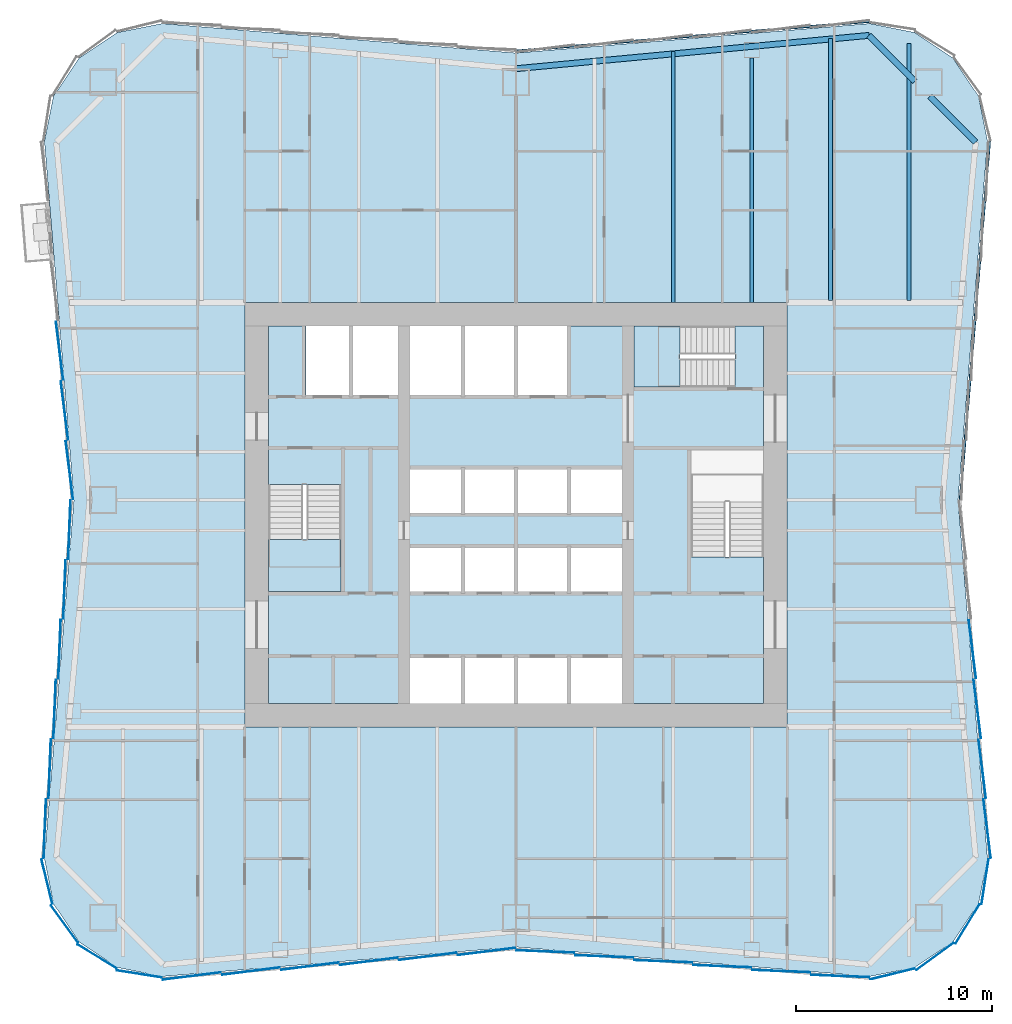
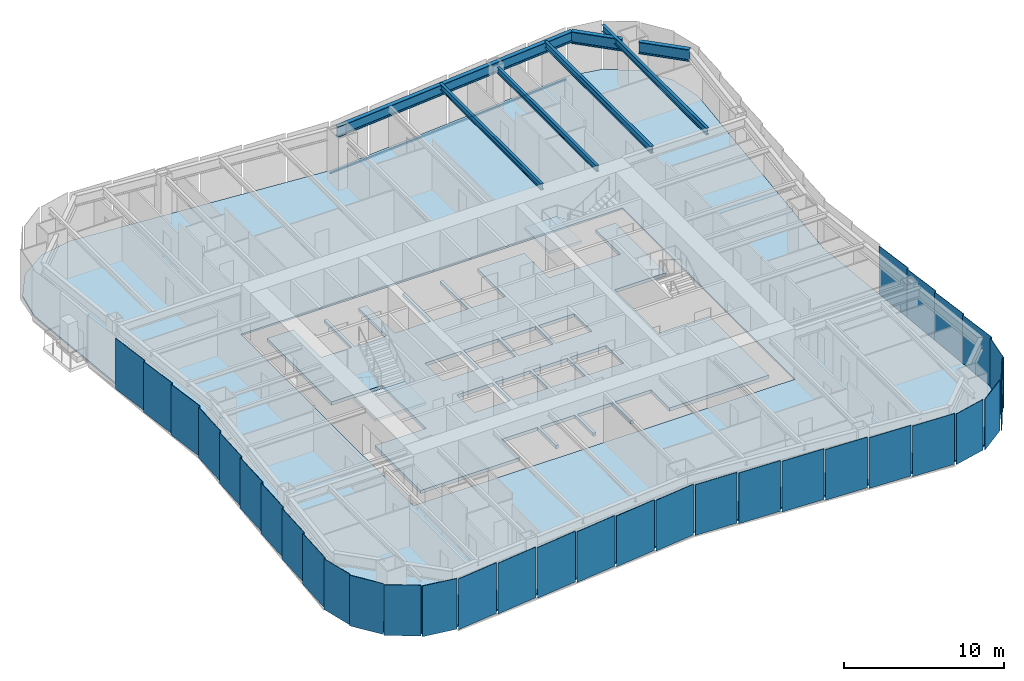
# One storey, part 2 of 9: 33 plates, 7 beams, 4 slabs, 2 members, 8 elements without a shape of their own.
"""IFC4 building model written with IfcOpenShell, lengths in metres."""

from ifc_helpers import new_model, si_unit, direction, frame, origin, origin_2d, place, context, subcontext, project, spatial, polyline, rectangle, i_section, outline, extrude, material, layer, layer_set, material_profile, profile_set, type_object, element, aggregate, save


model = new_model("IFC4")

# Units and contexts
model_context = context("Model", 3, precision=1e-05, world=origin(), true_north=direction((0.0, 1.0)))
body_context = subcontext(model_context, "Body", "Model", "MODEL_VIEW")
ifc_project = project(units=[si_unit("LENGTHUNIT", "METRE"), si_unit("AREAUNIT", "SQUARE_METRE"), si_unit("VOLUMEUNIT", "CUBIC_METRE"), si_unit("PLANEANGLEUNIT", "RADIAN"), si_unit("MASSUNIT", "GRAM", prefix="KILO")], contexts=[model_context])

# Site, building, storey
site_placement = place(None, origin())
site = spatial("IfcSite", under=ifc_project, at=site_placement, CompositionType="ELEMENT")
building_placement = place(site_placement, origin())
building = spatial("IfcBuilding", under=site, at=building_placement, Name="Verdant Reach Tower", CompositionType="ELEMENT")
storey_placement = place(building_placement, frame((0.0, 0.0, 90.0)))
storey = spatial("IfcBuildingStorey", under=building, at=storey_placement, Name="L20", CompositionType="ELEMENT", Elevation=90.0)

# Curtain wall, member
ifc_material_1 = material(Name="Anodised aluminium", Category="aluminium")
curtain_wall_type = type_object("IfcCurtainWallType", Name="EN-CW SYSTEM Z1", PredefinedType="NOTDEFINED", material=ifc_material_1)
curtain_wall_1_placement = place(storey_placement, origin())
curtain_wall_1 = element("IfcCurtainWall", 1, at=curtain_wall_1_placement, inside=storey, type_object=curtain_wall_type, Name="Curtain wall east, L20", PredefinedType="NOTDEFINED")
ifc_material_profile_1 = material_profile(ifc_material_1, rectangle(XDim=0.10009765625, YDim=0.1220703125, at=origin_2d()), Name="Transom 122x100")
ifc_profile_set_1 = profile_set([ifc_material_profile_1], Name="Anodised aluminium")
member_type = type_object("IfcMemberType", Name="EN-TRANSOM Z1", PredefinedType="USERDEFINED", material=ifc_profile_set_1)
member_1_placement = place(storey_placement, frame((22.60546875, 28.781005859375, -0.2890625), z_axis=(0.081886623329, 0.996641651207, 0.0), x_axis=(-0.996641651207, 0.081886623329, 0.0)))
member_1 = element("IfcMember", 2, at=member_1_placement, type_object=member_type, Name="Transom east face part 2 1.1, L20", ObjectType="TRANSOM", PredefinedType="USERDEFINED", context=body_context, shape_type="SweptSolid", body=[
    extrude(rectangle(XDim=0.10009765625, YDim=0.1220703125, at=origin_2d()), origin(), (0.0, 0.0, 1.0), 18.25537109375),
])

curtain_wall_2_placement = place(storey_placement, origin())
curtain_wall_2 = element("IfcCurtainWall", 3, at=curtain_wall_2_placement, inside=storey, type_object=curtain_wall_type, Name="Curtain wall north, L20", PredefinedType="NOTDEFINED")
member_2_placement = place(storey_placement, frame((17.974853515625, 53.100341796875, -0.2890625), z_axis=(-0.996547815143, -0.083020793384, 0.0), x_axis=(0.083020793384, -0.996547815143, 0.0)))
member_2 = element("IfcMember", 4, at=member_2_placement, type_object=member_type, Name="Transom north face part 1 1.1, L20", ObjectType="TRANSOM", PredefinedType="USERDEFINED", context=body_context, shape_type="SweptSolid", body=[
    extrude(rectangle(XDim=0.10009765625, YDim=0.1220703125, at=origin_2d()), origin(), (0.0, 0.0, 1.0), 18.006103515625),
])
aggregate(curtain_wall_2, [member_2])

# Beams
ifc_material_2 = material(Name="Steel S355", Category="steel")
ifc_material_profile_2 = material_profile(ifc_material_2, i_section(OverallWidth=0.18994140625, OverallDepth=0.449951171875, WebThickness=0.009521484375, FlangeThickness=0.0146484375, FilletRadius=0.02099609375, at=origin_2d()), Name="IPE 450")
ifc_profile_set_2 = profile_set([ifc_material_profile_2], Name="Steel S355")
beam_type_1 = type_object("IfcBeamType", Name="ST-JOIST-IPE450", PredefinedType="JOIST", material=ifc_profile_set_2)
beam_1_placement = place(storey_placement, frame((8.0, 38.800048828125, 3.64501953125), z_axis=(0.0, 1.0, 0.0), x_axis=(-1.0, 0.0, 0.0)))
element("IfcBeam", 5, at=beam_1_placement, inside=storey, type_object=beam_type_1, Name="Floor joist, L20", PredefinedType="JOIST", context=body_context, shape_type="SweptSolid", body=[
    extrude(i_section(OverallWidth=0.18994140625, OverallDepth=0.449951171875, WebThickness=0.009521484375, FlangeThickness=0.0146484375, FilletRadius=0.02099609375, at=origin_2d()), origin(), (0.0, 0.0, 1.0), 12.7646484375),
])
beam_2_placement = place(storey_placement, frame((12.0, 38.800048828125, 3.64501953125), z_axis=(0.0, 1.0, 0.0), x_axis=(-1.0, 0.0, 0.0)))
element("IfcBeam", 6, at=beam_2_placement, inside=storey, type_object=beam_type_1, Name="Floor joist, L20", PredefinedType="JOIST", context=body_context, shape_type="SweptSolid", body=[
    extrude(i_section(OverallWidth=0.18994140625, OverallDepth=0.449951171875, WebThickness=0.009521484375, FlangeThickness=0.0146484375, FilletRadius=0.02099609375, at=origin_2d()), origin(), (0.0, 0.0, 1.0), 12.449951171875),
])
ifc_material_profile_3 = material_profile(ifc_material_2, i_section(OverallWidth=0.199951171875, OverallDepth=0.5, WebThickness=0.01025390625, FlangeThickness=0.01611328125, FilletRadius=0.02099609375, at=origin_2d()), Name="IPE 500")
ifc_profile_set_3 = profile_set([ifc_material_profile_3], Name="Steel S355")
beam_type_2 = type_object("IfcBeamType", Name="ST-JOIST-IPE500", PredefinedType="JOIST", material=ifc_profile_set_3)
beam_3_placement = place(storey_placement, frame((16.0, 38.89990234375, 3.6201171875), z_axis=(0.0, 1.0, 0.0), x_axis=(-1.0, 0.0, 0.0)))
element("IfcBeam", 7, at=beam_3_placement, inside=storey, type_object=beam_type_2, Name="Floor joist, L20", PredefinedType="JOIST", context=body_context, shape_type="SweptSolid", body=[
    extrude(i_section(OverallWidth=0.199951171875, OverallDepth=0.5, WebThickness=0.01025390625, FlangeThickness=0.01611328125, FilletRadius=0.02099609375, at=origin_2d()), origin(), (0.0, 0.0, 1.0), 13.331298828125),
])
beam_4_placement = place(storey_placement, frame((20.0, 38.89990234375, 3.6201171875), z_axis=(0.0, 1.0, 0.0), x_axis=(-1.0, 0.0, 0.0)))
element("IfcBeam", 8, at=beam_4_placement, inside=storey, type_object=beam_type_2, Name="Floor joist, L20", PredefinedType="JOIST", context=body_context, shape_type="SweptSolid", body=[
    extrude(i_section(OverallWidth=0.199951171875, OverallDepth=0.5, WebThickness=0.01025390625, FlangeThickness=0.01611328125, FilletRadius=0.02099609375, at=origin_2d()), origin(), (0.0, 0.0, 1.0), 13.090576171875),
])
ifc_material_profile_4 = material_profile(ifc_material_2, i_section(OverallWidth=0.300048828125, OverallDepth=0.800048828125, WebThickness=0.017578125, FlangeThickness=0.032958984375, FilletRadius=0.030029296875, at=origin_2d()), Name="HEB 800")
ifc_profile_set_4 = profile_set([ifc_material_profile_4], Name="Steel S355")
beam_type_3 = type_object("IfcBeamType", Name="ST-SPANDREL-HEB800", PredefinedType="SPANDREL", material=ifc_profile_set_4)
beam_5_placement = place(storey_placement, frame((0.0, 50.699951171875, 3.469970703125), z_axis=(0.995578571765, 0.093932462137, 0.0), x_axis=(-0.093932462137, 0.995578571765, 0.0)))
element("IfcBeam", 9, at=beam_5_placement, inside=storey, type_object=beam_type_3, Name="Edge beam, L20", PredefinedType="SPANDREL", context=body_context, shape_type="SweptSolid", body=[
    extrude(i_section(OverallWidth=0.300048828125, OverallDepth=0.800048828125, WebThickness=0.017578125, FlangeThickness=0.032958984375, FilletRadius=0.030029296875, at=origin_2d()), origin(), (0.0, 0.0, 1.0), 18.045654296875),
])
ifc_material_profile_5 = material_profile(ifc_material_2, i_section(OverallWidth=0.302001953125, OverallDepth=0.909912109375, WebThickness=0.02099609375, FlangeThickness=0.0400390625, FilletRadius=0.030029296875, at=origin_2d()), Name="HEM 900")
ifc_profile_set_5 = profile_set([ifc_material_profile_5], Name="Steel S355")
beam_type_4 = type_object("IfcBeamType", Name="ST-SPANDREL-HEM900", PredefinedType="SPANDREL", material=ifc_profile_set_5)
beam_6_placement = place(storey_placement, frame((17.9658203125, 52.39501953125, 3.4150390625), z_axis=(0.707106781187, -0.707106781187, 0.0), x_axis=(0.707106781187, 0.707106781187, 0.0)))
element("IfcBeam", 10, at=beam_6_placement, inside=storey, type_object=beam_type_4, Name="Edge beam, L20", PredefinedType="SPANDREL", context=body_context, shape_type="SweptSolid", body=[
    extrude(i_section(OverallWidth=0.302001953125, OverallDepth=0.909912109375, WebThickness=0.02099609375, FlangeThickness=0.0400390625, FilletRadius=0.030029296875, at=origin_2d()), origin(), (0.0, 0.0, 1.0), 3.301025390625),
])
beam_7_placement = place(storey_placement, frame((21.060546875, 49.300048828125, 3.4150390625), z_axis=(0.707069807316, -0.707143753123, 0.0), x_axis=(0.707143753123, 0.707069807316, 0.0)))
element("IfcBeam", 11, at=beam_7_placement, inside=storey, type_object=beam_type_4, Name="Edge beam, L20", PredefinedType="SPANDREL", context=body_context, shape_type="SweptSolid", body=[
    extrude(i_section(OverallWidth=0.302001953125, OverallDepth=0.909912109375, WebThickness=0.02099609375, FlangeThickness=0.0400390625, FilletRadius=0.030029296875, at=origin_2d()), origin(), (0.0, 0.0, 1.0), 3.301513671875),
])

# Stair, slab
ifc_material_3 = material(Name="Concrete C40/50", Category="concrete")
stair_type = type_object("IfcStairType", Name="CO-STAIR", PredefinedType="HALF_TURN_STAIR", material=ifc_material_3)
stair_1_placement = place(storey_placement, origin())
stair_1 = element("IfcStair", 12, at=stair_1_placement, inside=storey, type_object=stair_type, Name="L20 Exit stair 1", PredefinedType="HALF_TURN_STAIR")
ifc_layer_1 = layer(ifc_material_3, 0.199951171875)
ifc_layer_set_1 = layer_set([ifc_layer_1], Name="CO-STAIR-LANDING")
slab_type_1 = type_object("IfcSlabType", Name="CO-STAIR-LANDING", PredefinedType="LANDING", material=ifc_layer_set_1)
slab_1_placement = place(storey_placement, frame((0.0, 0.0, 1.800048828125)))
slab_1 = element("IfcSlab", 13, at=slab_1_placement, type_object=slab_type_1, Name="ST-1 landing 1", PredefinedType="LANDING", context=body_context, shape_type="SweptSolid", body=[
    extrude(outline(polyline([(-12.60009765625, 26.75), (-12.60009765625, 24.10009765625), (-8.89990234375, 24.10009765625), (-8.89990234375, 26.75), (-12.60009765625, 26.75)])), origin(), (0.0, 0.0, 1.0), 0.199951171875),
])
aggregate(stair_1, [slab_1])

stair_2_placement = place(storey_placement, origin())
stair_2 = element("IfcStair", 14, at=stair_2_placement, inside=storey, type_object=stair_type, Name="L20 Exit stair 3", PredefinedType="HALF_TURN_STAIR")
slab_2_placement = place(storey_placement, frame((0.0, 0.0, 1.800048828125)))
slab_2 = element("IfcSlab", 15, at=slab_2_placement, type_object=slab_type_1, Name="ST-3 landing 1", PredefinedType="LANDING", context=body_context, shape_type="SweptSolid", body=[
    extrude(outline(polyline([(8.35009765625, 37.60009765625), (6.0, 37.60009765625), (6.0, 34.5), (8.35009765625, 34.5), (8.35009765625, 37.60009765625)])), origin(), (0.0, 0.0, 1.0), 0.199951171875),
])
aggregate(stair_2, [slab_2])

# Curtain wall, plates
curtain_wall_3_placement = place(storey_placement, origin())
curtain_wall_3 = element("IfcCurtainWall", 16, at=curtain_wall_3_placement, inside=storey, type_object=curtain_wall_type, Name="Curtain wall west, L20", PredefinedType="NOTDEFINED")
ifc_material_4 = material(Name="Tinted glass with champagne spandrel", Category="glass")
ifc_layer_2 = layer(ifc_material_4, 0.031982421875)
ifc_layer_set_2 = layer_set([ifc_layer_2], Name="EN-PANEL CHAMPAGNE")
plate_type_1 = type_object("IfcPlateType", Name="EN-PANEL CHAMPAGNE", PredefinedType="CURTAIN_PANEL", material=ifc_layer_set_2)
plate_1_placement = place(storey_placement, frame((-23.2275390625, 21.154296875, -0.22802734375), z_axis=(0.0, 0.0, 1.0), x_axis=(-0.040108781752, -0.999195319057, 0.0)))
plate_1 = element("IfcPlate", 17, at=plate_1_placement, type_object=plate_type_1, Name="Glass panel west face part 2 3.1, L20", PredefinedType="CURTAIN_PANEL", context=body_context, shape_type="SweptSolid", body=[
    extrude(rectangle(XDim=2.993896484375, YDim=0.031982421875, at=origin_2d()), origin(), (0.0, 0.0, 1.0), 3.8779296875),
])
plate_2_placement = place(storey_placement, frame((-23.4775390625, 18.112548828125, -0.22802734375), z_axis=(0.0, 0.0, 1.0), x_axis=(-0.040108781752, -0.999195319057, 0.0)))
plate_2 = element("IfcPlate", 18, at=plate_2_placement, type_object=plate_type_1, Name="Glass panel west face part 2 4.1, L20", PredefinedType="CURTAIN_PANEL", context=body_context, shape_type="SweptSolid", body=[
    extrude(rectangle(XDim=2.993896484375, YDim=0.031982421875, at=origin_2d()), origin(), (0.0, 0.0, 1.0), 3.8779296875),
])

curtain_wall_4_placement = place(storey_placement, origin())
curtain_wall_4 = element("IfcCurtainWall", 19, at=curtain_wall_4_placement, inside=storey, type_object=curtain_wall_type, Name="Curtain wall south-west corner, L20", PredefinedType="NOTDEFINED")
plate_3_placement = place(storey_placement, frame((-23.87060546875, 9.329345703125, -0.22802734375), z_axis=(0.0, 0.0, 1.0), x_axis=(0.236383344544, -0.971659875894, 0.0)))
plate_3 = element("IfcPlate", 20, at=plate_3_placement, type_object=plate_type_1, Name="Glass panel south-west corner 1.1, L20", PredefinedType="CURTAIN_PANEL", context=body_context, shape_type="SweptSolid", body=[
    extrude(rectangle(XDim=2.3173828125, YDim=0.031982421875, at=origin_2d()), origin(), (0.0, 0.0, 1.0), 3.8779296875),
])
plate_4_placement = place(storey_placement, frame((-22.97705078125, 7.174560546875, -0.22802734375), z_axis=(0.0, 0.0, 1.0), x_axis=(0.589926768145, -0.807456753161, 0.0)))
plate_4 = element("IfcPlate", 21, at=plate_4_placement, type_object=plate_type_1, Name="Glass panel south-west corner 2.1, L20", PredefinedType="CURTAIN_PANEL", context=body_context, shape_type="SweptSolid", body=[
    extrude(rectangle(XDim=2.3232421875, YDim=0.031982421875, at=origin_2d()), origin(), (0.0, 0.0, 1.0), 3.8779296875),
])
plate_5_placement = place(storey_placement, frame((-21.325439453125, 5.52294921875, -0.22802734375), z_axis=(0.0, 0.0, 1.0), x_axis=(0.85398868836, -0.520291572248, 0.0)))
plate_5 = element("IfcPlate", 22, at=plate_5_placement, type_object=plate_type_1, Name="Glass panel south-west corner 3.1, L20", PredefinedType="CURTAIN_PANEL", context=body_context, shape_type="SweptSolid", body=[
    extrude(rectangle(XDim=2.3232421875, YDim=0.031982421875, at=origin_2d()), origin(), (0.0, 0.0, 1.0), 3.8779296875),
])

curtain_wall_5_placement = place(storey_placement, origin())
curtain_wall_5 = element("IfcCurtainWall", 23, at=curtain_wall_5_placement, inside=storey, type_object=curtain_wall_type, Name="Curtain wall south, L20", PredefinedType="NOTDEFINED")
plate_6_placement = place(storey_placement, frame((-1.49560546875, 5.772216796875, -0.22802734375), z_axis=(0.0, 0.0, 1.0), x_axis=(0.992179247355, 0.124821236644, 0.0)))
plate_6 = element("IfcPlate", 24, at=plate_6_placement, type_object=plate_type_1, Name="Glass panel south face part 1 6.1, L20", PredefinedType="CURTAIN_PANEL", context=body_context, shape_type="SweptSolid", body=[
    extrude(rectangle(XDim=2.94384765625, YDim=0.031982421875, at=origin_2d()), origin(), (0.0, 0.0, 1.0), 3.8779296875),
])
plate_7_placement = place(storey_placement, frame((1.49560546875, 5.772216796875, -0.22802734375), z_axis=(0.0, 0.0, 1.0), x_axis=(0.99914430697, -0.041360051381, 0.0)))
plate_7 = element("IfcPlate", 25, at=plate_7_placement, type_object=plate_type_1, Name="Glass panel south face part 2 1.1, L20", PredefinedType="CURTAIN_PANEL", context=body_context, shape_type="SweptSolid", body=[
    extrude(rectangle(XDim=2.94384765625, YDim=0.031982421875, at=origin_2d()), origin(), (0.0, 0.0, 1.0), 3.8779296875),
])
plate_8_placement = place(storey_placement, frame((4.491455078125, 5.5224609375, -0.22802734375), z_axis=(0.0, 0.0, 1.0), x_axis=(0.999149202059, -0.041241629766, 0.0)))
plate_8 = element("IfcPlate", 26, at=plate_8_placement, type_object=plate_type_1, Name="Glass panel south face part 2 2.1, L20", PredefinedType="CURTAIN_PANEL", context=body_context, shape_type="SweptSolid", body=[
    extrude(rectangle(XDim=2.952392578125, YDim=0.031982421875, at=origin_2d()), origin(), (0.0, 0.0, 1.0), 3.8779296875),
])

curtain_wall_6_placement = place(storey_placement, origin())
curtain_wall_6 = element("IfcCurtainWall", 27, at=curtain_wall_6_placement, inside=storey, type_object=curtain_wall_type, Name="Curtain wall south-east corner, L20", PredefinedType="NOTDEFINED")
ifc_material_5 = material(Name="Tinted glass with copper spandrel", Category="glass")
ifc_layer_3 = layer(ifc_material_5, 0.031982421875)
ifc_layer_set_3 = layer_set([ifc_layer_3], Name="EN-PANEL COPPER")
plate_type_2 = type_object("IfcPlateType", Name="EN-PANEL COPPER", PredefinedType="CURTAIN_PANEL", material=ifc_layer_set_3)
plate_9_placement = place(storey_placement, frame((19.170654296875, 4.62939453125, -0.22802734375), z_axis=(0.0, 0.0, 1.0), x_axis=(0.971660685934, 0.236380014828, 0.0)))
plate_9 = element("IfcPlate", 28, at=plate_9_placement, type_object=plate_type_2, Name="Glass panel south-east corner 1.1, L20", PredefinedType="CURTAIN_PANEL", context=body_context, shape_type="SweptSolid", body=[
    extrude(rectangle(XDim=2.317626953125, YDim=0.031982421875, at=origin_2d()), origin(), (0.0, 0.0, 1.0), 3.8779296875),
])
plate_10_placement = place(storey_placement, frame((21.325439453125, 5.52294921875, -0.22802734375), z_axis=(0.0, 0.0, 1.0), x_axis=(0.807456753161, 0.589926768145, 0.0)))
plate_10 = element("IfcPlate", 29, at=plate_10_placement, type_object=plate_type_2, Name="Glass panel south-east corner 2.1, L20", PredefinedType="CURTAIN_PANEL", context=body_context, shape_type="SweptSolid", body=[
    extrude(rectangle(XDim=2.3232421875, YDim=0.031982421875, at=origin_2d()), origin(), (0.0, 0.0, 1.0), 3.8779296875),
])
plate_11_placement = place(storey_placement, frame((22.97705078125, 7.174560546875, -0.22802734375), z_axis=(0.0, 0.0, 1.0), x_axis=(0.520291572248, 0.85398868836, 0.0)))
plate_11 = element("IfcPlate", 30, at=plate_11_placement, type_object=plate_type_2, Name="Glass panel south-east corner 3.1, L20", PredefinedType="CURTAIN_PANEL", context=body_context, shape_type="SweptSolid", body=[
    extrude(rectangle(XDim=2.3232421875, YDim=0.031982421875, at=origin_2d()), origin(), (0.0, 0.0, 1.0), 3.8779296875),
])

# Plate
plate_12_placement = place(storey_placement, frame((23.977783203125, 12.022216796875, -0.22802734375), z_axis=(0.0, 0.0, 1.0), x_axis=(-0.123256305275, 0.992374870304, 0.0)))
plate_12 = element("IfcPlate", 31, at=plate_12_placement, type_object=plate_type_2, Name="Glass panel east face part 1 1.1, L20", PredefinedType="CURTAIN_PANEL", context=body_context, shape_type="SweptSolid", body=[
    extrude(rectangle(XDim=3.00830078125, YDim=0.031982421875, at=origin_2d()), origin(), (0.0, 0.0, 1.0), 3.8779296875),
])

plate_13_placement = place(storey_placement, frame((-23.2275390625, 36.345703125, -0.22802734375), z_axis=(0.0, 0.0, 1.0), x_axis=(0.123578623975, -0.992334784081, 0.0)))
plate_13 = element("IfcPlate", 32, at=plate_13_placement, type_object=plate_type_2, Name="Glass panel west face part 1 4.1, L20", PredefinedType="CURTAIN_PANEL", context=body_context, shape_type="SweptSolid", body=[
    extrude(rectangle(XDim=2.993896484375, YDim=0.031982421875, at=origin_2d()), origin(), (0.0, 0.0, 1.0), 3.8779296875),
])

plate_14_placement = place(storey_placement, frame((-22.9775390625, 33.303955078125, -0.22802734375), z_axis=(0.0, 0.0, 1.0), x_axis=(0.123578623975, -0.992334784081, 0.0)))
plate_14 = element("IfcPlate", 33, at=plate_14_placement, type_object=plate_type_2, Name="Glass panel west face part 1 5.1, L20", PredefinedType="CURTAIN_PANEL", context=body_context, shape_type="SweptSolid", body=[
    extrude(rectangle(XDim=2.993896484375, YDim=0.031982421875, at=origin_2d()), origin(), (0.0, 0.0, 1.0), 3.8779296875),
])

plate_15_placement = place(storey_placement, frame((-23.7275390625, 15.071044921875, -0.22802734375), z_axis=(0.0, 0.0, 1.0), x_axis=(-0.040108781752, -0.999195319057, 0.0)))
plate_15 = element("IfcPlate", 34, at=plate_15_placement, type_object=plate_type_2, Name="Glass panel west face part 2 5.1, L20", PredefinedType="CURTAIN_PANEL", context=body_context, shape_type="SweptSolid", body=[
    extrude(rectangle(XDim=2.993896484375, YDim=0.031982421875, at=origin_2d()), origin(), (0.0, 0.0, 1.0), 3.8779296875),
])

plate_16_placement = place(storey_placement, frame((-23.977783203125, 12.022216796875, -0.22802734375), z_axis=(0.0, 0.0, 1.0), x_axis=(-0.039784239139, -0.999208293759, 0.0)))
plate_16 = element("IfcPlate", 35, at=plate_16_placement, type_object=plate_type_2, Name="Glass panel west face part 2 6.1, L20", PredefinedType="CURTAIN_PANEL", context=body_context, shape_type="SweptSolid", body=[
    extrude(rectangle(XDim=3.00830078125, YDim=0.031982421875, at=origin_2d()), origin(), (0.0, 0.0, 1.0), 3.8779296875),
])

plate_17_placement = place(storey_placement, frame((-19.170654296875, 4.62939453125, -0.22802734375), z_axis=(0.0, 0.0, 1.0), x_axis=(0.988032704995, -0.154244526195, 0.0)))
plate_17 = element("IfcPlate", 36, at=plate_17_placement, type_object=plate_type_2, Name="Glass panel south-west corner 4.1, L20", PredefinedType="CURTAIN_PANEL", context=body_context, shape_type="SweptSolid", body=[
    extrude(rectangle(XDim=2.317626953125, YDim=0.031982421875, at=origin_2d()), origin(), (0.0, 0.0, 1.0), 3.8779296875),
])

aggregate(curtain_wall_4, [plate_3, plate_4, plate_5, plate_17])

plate_18_placement = place(storey_placement, frame((-16.49853515625, 4.522216796875, -0.22802734375), z_axis=(0.0, 0.0, 1.0), x_axis=(0.99223537376, 0.124374286167, 0.0)))
plate_18 = element("IfcPlate", 37, at=plate_18_placement, type_object=plate_type_2, Name="Glass panel south face part 1 1.1, L20", PredefinedType="CURTAIN_PANEL", context=body_context, shape_type="SweptSolid", body=[
    extrude(rectangle(XDim=2.966796875, YDim=0.031982421875, at=origin_2d()), origin(), (0.0, 0.0, 1.0), 3.8779296875),
])

plate_19_placement = place(storey_placement, frame((-13.491455078125, 4.7724609375, -0.22802734375), z_axis=(0.0, 0.0, 1.0), x_axis=(0.992194034542, 0.124703639961, 0.0)))
plate_19 = element("IfcPlate", 38, at=plate_19_placement, type_object=plate_type_2, Name="Glass panel south face part 1 2.1, L20", PredefinedType="CURTAIN_PANEL", context=body_context, shape_type="SweptSolid", body=[
    extrude(rectangle(XDim=2.952392578125, YDim=0.031982421875, at=origin_2d()), origin(), (0.0, 0.0, 1.0), 3.8779296875),
])

plate_20_placement = place(storey_placement, frame((-10.491455078125, 5.0224609375, -0.22802734375), z_axis=(0.0, 0.0, 1.0), x_axis=(0.992194034542, 0.124703639961, 0.0)))
plate_20 = element("IfcPlate", 39, at=plate_20_placement, type_object=plate_type_2, Name="Glass panel south face part 1 3.1, L20", PredefinedType="CURTAIN_PANEL", context=body_context, shape_type="SweptSolid", body=[
    extrude(rectangle(XDim=2.952392578125, YDim=0.031982421875, at=origin_2d()), origin(), (0.0, 0.0, 1.0), 3.8779296875),
])

plate_21_placement = place(storey_placement, frame((7.491455078125, 5.2724609375, -0.22802734375), z_axis=(0.0, 0.0, 1.0), x_axis=(0.999149202059, -0.041241629766, 0.0)))
plate_21 = element("IfcPlate", 40, at=plate_21_placement, type_object=plate_type_2, Name="Glass panel south face part 2 3.1, L20", PredefinedType="CURTAIN_PANEL", context=body_context, shape_type="SweptSolid", body=[
    extrude(rectangle(XDim=2.952392578125, YDim=0.031982421875, at=origin_2d()), origin(), (0.0, 0.0, 1.0), 3.8779296875),
])

plate_22_placement = place(storey_placement, frame((10.491455078125, 5.0224609375, -0.22802734375), z_axis=(0.0, 0.0, 1.0), x_axis=(0.999149202059, -0.041241629766, 0.0)))
plate_22 = element("IfcPlate", 41, at=plate_22_placement, type_object=plate_type_2, Name="Glass panel south face part 2 4.1, L20", PredefinedType="CURTAIN_PANEL", context=body_context, shape_type="SweptSolid", body=[
    extrude(rectangle(XDim=2.952392578125, YDim=0.031982421875, at=origin_2d()), origin(), (0.0, 0.0, 1.0), 3.8779296875),
])

ifc_material_6 = material(Name="Tinted glass with dark bronze spandrel", Category="glass")
ifc_layer_4 = layer(ifc_material_6, 0.031982421875)
ifc_layer_set_4 = layer_set([ifc_layer_4], Name="EN-PANEL DARK")
plate_type_3 = type_object("IfcPlateType", Name="EN-PANEL DARK", PredefinedType="CURTAIN_PANEL", material=ifc_layer_set_4)
plate_23_placement = place(storey_placement, frame((23.87060546875, 9.329345703125, -0.22802734375), z_axis=(0.0, 0.0, 1.0), x_axis=(0.154247912016, 0.988032176419, 0.0)))
plate_23 = element("IfcPlate", 42, at=plate_23_placement, type_object=plate_type_3, Name="Glass panel south-east corner 4.1, L20", PredefinedType="CURTAIN_PANEL", context=body_context, shape_type="SweptSolid", body=[
    extrude(rectangle(XDim=2.3173828125, YDim=0.031982421875, at=origin_2d()), origin(), (0.0, 0.0, 1.0), 3.8779296875),
])

aggregate(curtain_wall_6, [plate_9, plate_10, plate_11, plate_23])

plate_24_placement = place(storey_placement, frame((23.7275390625, 15.071044921875, -0.22802734375), z_axis=(0.0, 0.0, 1.0), x_axis=(-0.123578623975, 0.992334784081, 0.0)))
plate_24 = element("IfcPlate", 43, at=plate_24_placement, type_object=plate_type_3, Name="Glass panel east face part 1 2.1, L20", PredefinedType="CURTAIN_PANEL", context=body_context, shape_type="SweptSolid", body=[
    extrude(rectangle(XDim=2.993896484375, YDim=0.031982421875, at=origin_2d()), origin(), (0.0, 0.0, 1.0), 3.8779296875),
])

plate_25_placement = place(storey_placement, frame((23.4775390625, 18.112548828125, -0.22802734375), z_axis=(0.0, 0.0, 1.0), x_axis=(-0.123578623975, 0.992334784081, 0.0)))
plate_25 = element("IfcPlate", 44, at=plate_25_placement, type_object=plate_type_3, Name="Glass panel east face part 1 3.1, L20", PredefinedType="CURTAIN_PANEL", context=body_context, shape_type="SweptSolid", body=[
    extrude(rectangle(XDim=2.993896484375, YDim=0.031982421875, at=origin_2d()), origin(), (0.0, 0.0, 1.0), 3.8779296875),
])

plate_26_placement = place(storey_placement, frame((23.2275390625, 21.154296875, -0.22802734375), z_axis=(0.0, 0.0, 1.0), x_axis=(-0.123578623975, 0.992334784081, 0.0)))
plate_26 = element("IfcPlate", 45, at=plate_26_placement, type_object=plate_type_3, Name="Glass panel east face part 1 4.1, L20", PredefinedType="CURTAIN_PANEL", context=body_context, shape_type="SweptSolid", body=[
    extrude(rectangle(XDim=2.993896484375, YDim=0.031982421875, at=origin_2d()), origin(), (0.0, 0.0, 1.0), 3.8779296875),
])

aggregate(curtain_wall_1, [plate_12, plate_24, plate_25, plate_26, member_1])

plate_27_placement = place(storey_placement, frame((-22.727783203125, 30.2666015625, -0.22802734375), z_axis=(0.0, 0.0, 1.0), x_axis=(0.123691487663, -0.992320722287, 0.0)))
plate_27 = element("IfcPlate", 46, at=plate_27_placement, type_object=plate_type_3, Name="Glass panel west face part 1 6.1, L20", PredefinedType="CURTAIN_PANEL", context=body_context, shape_type="SweptSolid", body=[
    extrude(rectangle(XDim=2.985595703125, YDim=0.031982421875, at=origin_2d()), origin(), (0.0, 0.0, 1.0), 3.8779296875),
])

plate_28_placement = place(storey_placement, frame((-22.727783203125, 27.2333984375, -0.22802734375), z_axis=(0.0, 0.0, 1.0), x_axis=(-0.040222426271, -0.99919075077, 0.0)))
plate_28 = element("IfcPlate", 47, at=plate_28_placement, type_object=plate_type_3, Name="Glass panel west face part 2 1.1, L20", PredefinedType="CURTAIN_PANEL", context=body_context, shape_type="SweptSolid", body=[
    extrude(rectangle(XDim=2.985595703125, YDim=0.031982421875, at=origin_2d()), origin(), (0.0, 0.0, 1.0), 3.8779296875),
])

plate_29_placement = place(storey_placement, frame((-22.9775390625, 24.196044921875, -0.22802734375), z_axis=(0.0, 0.0, 1.0), x_axis=(-0.040108781752, -0.999195319057, 0.0)))
plate_29 = element("IfcPlate", 48, at=plate_29_placement, type_object=plate_type_3, Name="Glass panel west face part 2 2.1, L20", PredefinedType="CURTAIN_PANEL", context=body_context, shape_type="SweptSolid", body=[
    extrude(rectangle(XDim=2.993896484375, YDim=0.031982421875, at=origin_2d()), origin(), (0.0, 0.0, 1.0), 3.8779296875),
])

aggregate(curtain_wall_3, [plate_13, plate_14, plate_27, plate_28, plate_29, plate_1, plate_2, plate_15, plate_16])

plate_30_placement = place(storey_placement, frame((-7.491455078125, 5.2724609375, -0.22802734375), z_axis=(0.0, 0.0, 1.0), x_axis=(0.992194034542, 0.124703639961, 0.0)))
plate_30 = element("IfcPlate", 49, at=plate_30_placement, type_object=plate_type_3, Name="Glass panel south face part 1 4.1, L20", PredefinedType="CURTAIN_PANEL", context=body_context, shape_type="SweptSolid", body=[
    extrude(rectangle(XDim=2.952392578125, YDim=0.031982421875, at=origin_2d()), origin(), (0.0, 0.0, 1.0), 3.8779296875),
])

plate_31_placement = place(storey_placement, frame((-4.491455078125, 5.5224609375, -0.22802734375), z_axis=(0.0, 0.0, 1.0), x_axis=(0.992194034542, 0.124703639961, 0.0)))
plate_31 = element("IfcPlate", 50, at=plate_31_placement, type_object=plate_type_3, Name="Glass panel south face part 1 5.1, L20", PredefinedType="CURTAIN_PANEL", context=body_context, shape_type="SweptSolid", body=[
    extrude(rectangle(XDim=2.952392578125, YDim=0.031982421875, at=origin_2d()), origin(), (0.0, 0.0, 1.0), 3.8779296875),
])

plate_32_placement = place(storey_placement, frame((13.491455078125, 4.7724609375, -0.22802734375), z_axis=(0.0, 0.0, 1.0), x_axis=(0.999149202059, -0.041241629766, 0.0)))
plate_32 = element("IfcPlate", 51, at=plate_32_placement, type_object=plate_type_3, Name="Glass panel south face part 2 5.1, L20", PredefinedType="CURTAIN_PANEL", context=body_context, shape_type="SweptSolid", body=[
    extrude(rectangle(XDim=2.952392578125, YDim=0.031982421875, at=origin_2d()), origin(), (0.0, 0.0, 1.0), 3.8779296875),
])

plate_33_placement = place(storey_placement, frame((16.49853515625, 4.522216796875, -0.22802734375), z_axis=(0.0, 0.0, 1.0), x_axis=(0.999162836679, -0.040909971885, 0.0)))
plate_33 = element("IfcPlate", 52, at=plate_33_placement, type_object=plate_type_3, Name="Glass panel south face part 2 6.1, L20", PredefinedType="CURTAIN_PANEL", context=body_context, shape_type="SweptSolid", body=[
    extrude(rectangle(XDim=2.966796875, YDim=0.031982421875, at=origin_2d()), origin(), (0.0, 0.0, 1.0), 3.8779296875),
])

aggregate(curtain_wall_5, [plate_18, plate_19, plate_20, plate_30, plate_31, plate_6, plate_7, plate_8, plate_21, plate_22, plate_32, plate_33])

# Slabs
ifc_material_7 = material(Name="Concrete C35/45", Category="concrete")
ifc_layer_5 = layer(ifc_material_7, 0.1298828125)
ifc_layer_set_5 = layer_set([ifc_layer_5], Name="ST-SLAB-130")
slab_type_2 = type_object("IfcSlabType", Name="ST-SLAB-130", PredefinedType="FLOOR", material=ifc_layer_set_5)
slab_3_placement = place(storey_placement, frame((0.0, 0.0, -0.1298828125)))
element("IfcSlab", 53, at=slab_3_placement, inside=storey, type_object=slab_type_2, Name="Floor slab L20", PredefinedType="FLOOR", context=body_context, shape_type="SweptSolid", body=[
    extrude(outline(polyline([(0.0, 6.0), (-18.0, 4.5), (-20.296142578125, 4.956787109375), (-22.24267578125, 6.25732421875), (-23.543212890625, 8.203857421875), (-24.0, 10.5), (-22.5, 28.75), (-24.0, 47.0), (-23.543212890625, 49.296142578125), (-22.24267578125, 51.24267578125), (-20.296142578125, 52.543212890625), (-18.0, 53.0), (0.0, 51.5), (18.0, 53.0), (20.296142578125, 52.543212890625), (22.24267578125, 51.24267578125), (23.543212890625, 49.296142578125), (24.0, 47.0), (22.5, 28.75), (24.0, 10.5), (23.543212890625, 8.203857421875), (22.24267578125, 6.25732421875), (20.296142578125, 4.956787109375), (18.0, 4.5), (0.0, 6.0)]), holes=[polyline([(13.800048828125, 38.800048828125), (-13.800048828125, 38.800048828125), (-13.800048828125, 17.199951171875), (13.800048828125, 17.199951171875), (13.800048828125, 38.800048828125)])]), origin(), (0.0, 0.0, 1.0), 0.1298828125),
])
ifc_layer_6 = layer(ifc_material_7, 0.25)
ifc_layer_set_6 = layer_set([ifc_layer_6], Name="ST-SLAB-250")
slab_type_3 = type_object("IfcSlabType", Name="ST-SLAB-250", PredefinedType="FLOOR", material=ifc_layer_set_6)
slab_4_placement = place(storey_placement, frame((0.0, 0.0, -0.25)))
element("IfcSlab", 54, at=slab_4_placement, inside=storey, type_object=slab_type_3, Name="Core floor slab L20", PredefinedType="FLOOR", context=body_context, shape_type="SweptSolid", body=[
    extrude(outline(polyline([(12.60009765625, 18.39990234375), (5.39990234375, 18.39990234375), (5.39990234375, 20.699951171875), (2.800048828125, 20.699951171875), (2.800048828125, 18.39990234375), (2.60009765625, 18.39990234375), (2.60009765625, 20.699951171875), (0.10009765625, 20.699951171875), (0.10009765625, 18.39990234375), (-0.10009765625, 18.39990234375), (-0.10009765625, 20.699951171875), (-2.60009765625, 20.699951171875), (-2.60009765625, 18.39990234375), (-2.800048828125, 18.39990234375), (-2.800048828125, 20.699951171875), (-5.39990234375, 20.699951171875), (-5.39990234375, 18.39990234375), (-12.60009765625, 18.39990234375), (-12.60009765625, 24.10009765625), (-8.89990234375, 24.10009765625), (-8.89990234375, 29.548095703125), (-12.60009765625, 29.548095703125), (-12.60009765625, 37.60009765625), (-10.699951171875, 37.60009765625), (-10.699951171875, 34.10009765625), (-8.5, 34.10009765625), (-8.5, 37.60009765625), (-8.300048828125, 37.60009765625), (-8.300048828125, 34.10009765625), (-6.0, 34.10009765625), (-6.0, 37.60009765625), (-5.39990234375, 37.60009765625), (-5.39990234375, 34.10009765625), (-2.800048828125, 34.10009765625), (-2.800048828125, 37.60009765625), (-2.60009765625, 37.60009765625), (-2.60009765625, 34.10009765625), (-0.10009765625, 34.10009765625), (-0.10009765625, 37.60009765625), (0.10009765625, 37.60009765625), (0.10009765625, 34.10009765625), (2.60009765625, 34.10009765625), (2.60009765625, 37.60009765625), (6.0, 37.60009765625), (6.0, 34.5), (11.14794921875, 34.5), (11.14794921875, 37.60009765625), (12.60009765625, 37.60009765625), (12.60009765625, 31.300048828125), (8.89990234375, 31.300048828125), (8.89990234375, 25.85205078125), (12.60009765625, 25.85205078125), (12.60009765625, 18.39990234375)]), holes=[polyline([(-2.800048828125, 24.10009765625), (-2.800048828125, 26.300048828125), (-5.39990234375, 26.300048828125), (-5.39990234375, 24.10009765625), (-2.800048828125, 24.10009765625)]), polyline([(-2.60009765625, 24.10009765625), (-0.10009765625, 24.10009765625), (-0.10009765625, 26.300048828125), (-2.60009765625, 26.300048828125), (-2.60009765625, 24.10009765625)]), polyline([(-2.800048828125, 28.10009765625), (-2.800048828125, 30.300048828125), (-5.39990234375, 30.300048828125), (-5.39990234375, 28.10009765625), (-2.800048828125, 28.10009765625)]), polyline([(-0.10009765625, 28.10009765625), (-0.10009765625, 30.300048828125), (-2.60009765625, 30.300048828125), (-2.60009765625, 28.10009765625), (-0.10009765625, 28.10009765625)]), polyline([(2.60009765625, 24.10009765625), (2.60009765625, 26.300048828125), (0.10009765625, 26.300048828125), (0.10009765625, 24.10009765625), (2.60009765625, 24.10009765625)]), polyline([(2.800048828125, 24.10009765625), (5.39990234375, 24.10009765625), (5.39990234375, 26.300048828125), (2.800048828125, 26.300048828125), (2.800048828125, 24.10009765625)]), polyline([(2.60009765625, 28.10009765625), (2.60009765625, 30.300048828125), (0.10009765625, 30.300048828125), (0.10009765625, 28.10009765625), (2.60009765625, 28.10009765625)]), polyline([(5.39990234375, 28.10009765625), (5.39990234375, 30.300048828125), (2.800048828125, 30.300048828125), (2.800048828125, 28.10009765625), (5.39990234375, 28.10009765625)])]), origin(), (0.0, 0.0, 1.0), 0.25),
])

save(model, "model.ifc")
